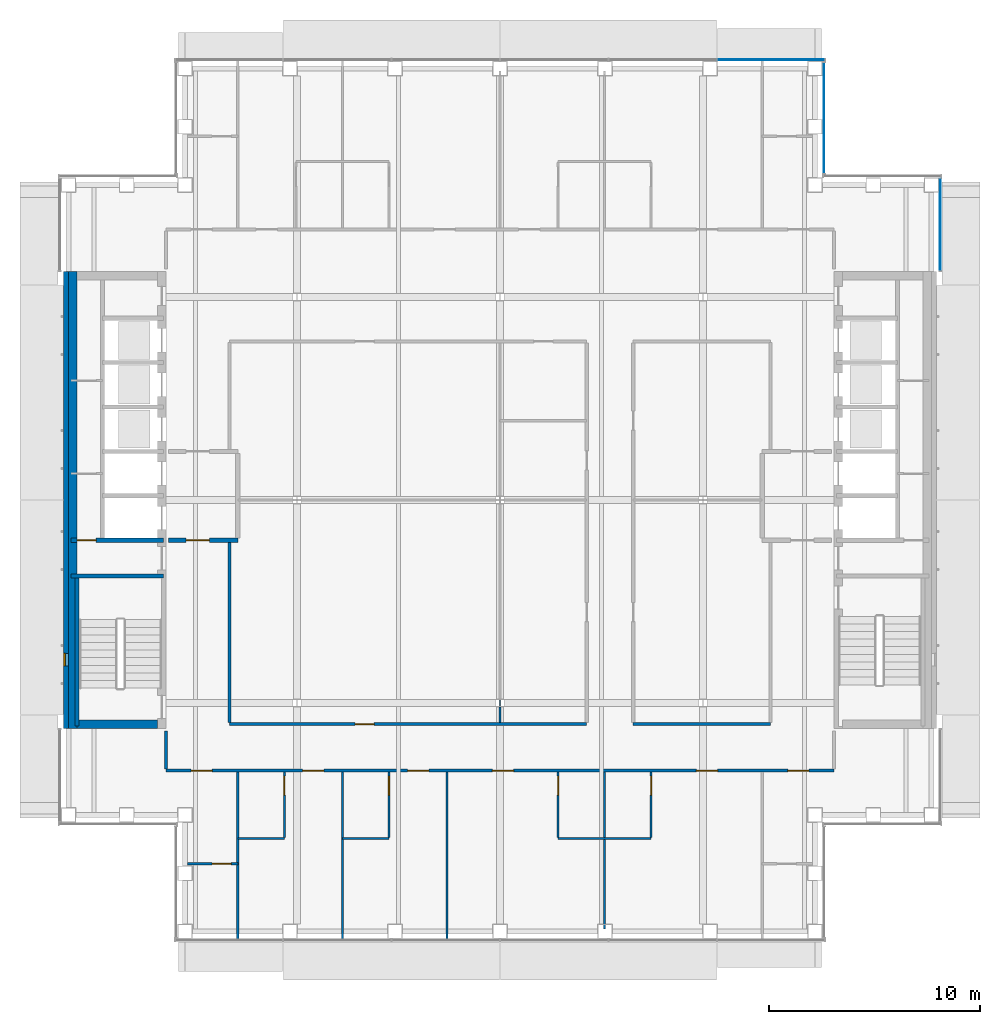
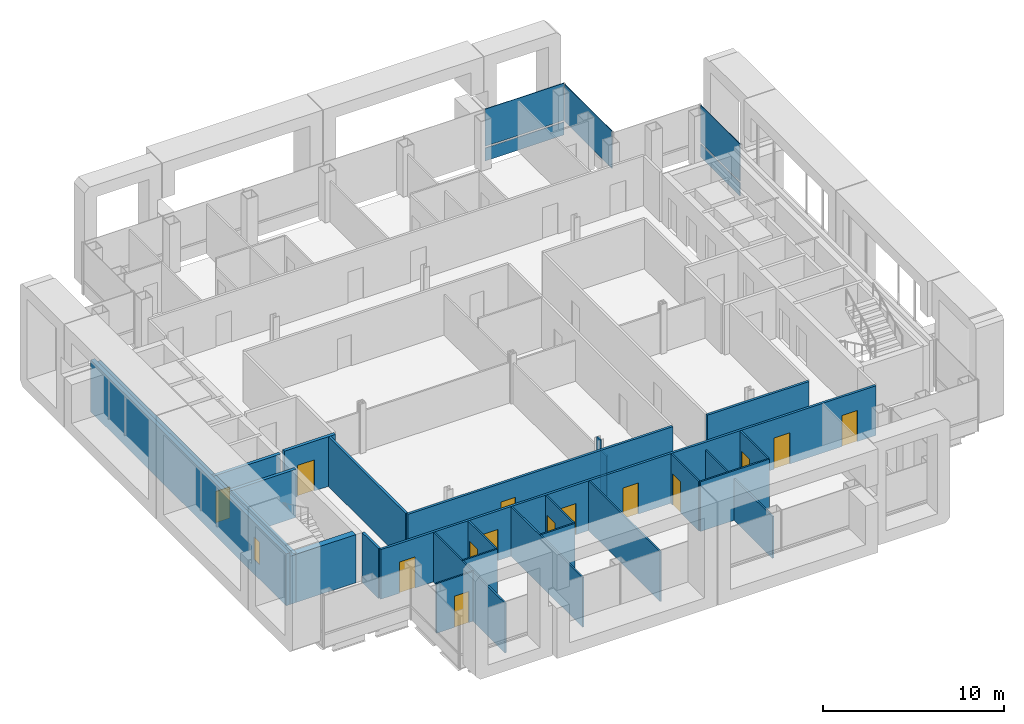
# One storey, part 9 of 19: 27 walls, 14 doors, 5 plates, 1 window, 15 openings, 3 elements without a shape of their own.
"""IFC4 building model written with IfcOpenShell, lengths in metres."""

from ifc_helpers import new_model, si_unit, direction, frame, frame_2d, origin, origin_2d, place, context, subcontext, project, spatial, rectangle, extrude, material, layer, layer_set, type_object, element, fill, aggregate, save


model = new_model("IFC4")

# Units and contexts
model_context = context("Model", 3, precision=1e-05, world=origin(), true_north=direction((0.0, 1.0)))
body_context = subcontext(model_context, "Body", "Model", "MODEL_VIEW")
ifc_project = project(units=[si_unit("LENGTHUNIT", "METRE"), si_unit("AREAUNIT", "SQUARE_METRE"), si_unit("VOLUMEUNIT", "CUBIC_METRE"), si_unit("PLANEANGLEUNIT", "RADIAN"), si_unit("MASSUNIT", "GRAM", prefix="KILO")], contexts=[model_context])

# Site, building, storey
site_placement = place(None, origin())
site = spatial("IfcSite", under=ifc_project, at=site_placement, CompositionType="ELEMENT")
building_placement = place(site_placement, origin())
building = spatial("IfcBuilding", under=site, at=building_placement, Name="Cobrizo Arcos Hotel Tower", CompositionType="ELEMENT")
storey_placement = place(building_placement, frame((0.0, 0.0, 205.0)))
storey = spatial("IfcBuildingStorey", under=building, at=storey_placement, Name="L53", CompositionType="ELEMENT", Elevation=205.0)

# Curtain wall, plate
ifc_material_1 = material(Name="Aluminium 6063-T6 anodised bronze", Category="aluminium")
curtain_wall_type = type_object("IfcCurtainWallType", Name="CW-A guest facade", PredefinedType="NOTDEFINED", material=ifc_material_1)
curtain_wall_1_placement = place(storey_placement, origin())
curtain_wall_1 = element("IfcCurtainWall", 1, at=curtain_wall_1_placement, inside=storey, type_object=curtain_wall_type, Name="CW-A L53 E face", PredefinedType="NOTDEFINED")
ifc_material_2 = material(Name="Glass clear laminated low-e", Category="glass")
ifc_layer_1 = layer(ifc_material_2, 0.0400390625)
ifc_layer_set_1 = layer_set([ifc_layer_1], Name="CW-A glass panel")
plate_type_1 = type_object("IfcPlateType", Name="CW-A glass panel", PredefinedType="CURTAIN_PANEL", material=ifc_layer_set_1)
plate_1_placement = place(storey_placement, frame((20.824951171875, 13.02490234375, 0.990234375), z_axis=(0.0, 0.0, 1.0), x_axis=(0.0, 1.0, 0.0)))
plate_1 = element("IfcPlate", 2, at=plate_1_placement, type_object=plate_type_1, Name="CW-A glass panel 1801", PredefinedType="CURTAIN_PANEL", context=body_context, shape_type="SweptSolid", body=[
    extrude(rectangle(XDim=4.330078125, YDim=0.0400390625, at=origin_2d()), origin(), (0.0, 0.0, 1.0), 2.510009765625),
])

curtain_wall_2_placement = place(storey_placement, origin())
curtain_wall_2 = element("IfcCurtainWall", 3, at=curtain_wall_2_placement, inside=storey, type_object=curtain_wall_type, Name="CW-A L53 E face", PredefinedType="NOTDEFINED")
plate_2_placement = place(storey_placement, frame((15.324951171875, 18.074951171875, 0.990234375), z_axis=(0.0, 0.0, 1.0), x_axis=(0.0, 1.0, 0.0)))
plate_2 = element("IfcPlate", 4, at=plate_2_placement, type_object=plate_type_1, Name="CW-A glass panel 1803", PredefinedType="CURTAIN_PANEL", context=body_context, shape_type="SweptSolid", body=[
    extrude(rectangle(XDim=5.22998046875, YDim=0.0400390625, at=origin_2d()), origin(), (0.0, 0.0, 1.0), 2.510009765625),
])
aggregate(curtain_wall_2, [plate_2])

curtain_wall_3_placement = place(storey_placement, origin())
curtain_wall_3 = element("IfcCurtainWall", 5, at=curtain_wall_3_placement, inside=storey, type_object=curtain_wall_type, Name="CW-A L53 N face", PredefinedType="NOTDEFINED")
plate_3_placement = place(storey_placement, frame((12.818359375, 20.824951171875, 0.990234375), z_axis=(0.0, 0.0, 1.0), x_axis=(-1.0, 0.0, 0.0)))
plate_3 = element("IfcPlate", 6, at=plate_3_placement, type_object=plate_type_1, Name="CW-A glass panel 1804", PredefinedType="CURTAIN_PANEL", context=body_context, shape_type="SweptSolid", body=[
    extrude(rectangle(XDim=5.043212890625, YDim=0.0400390625, at=origin_2d()), origin(), (0.0, 0.0, 1.0), 2.510009765625),
])

# Plate
ifc_material_3 = material(Name="Aluminium composite panel pale metal", Category="aluminium")
ifc_layer_2 = layer(ifc_material_3, 0.0400390625)
ifc_layer_set_2 = layer_set([ifc_layer_2], Name="CW-A spandrel panel")
plate_type_2 = type_object("IfcPlateType", Name="CW-A spandrel panel", PredefinedType="CURTAIN_PANEL", material=ifc_layer_set_2)
plate_4_placement = place(storey_placement, frame((20.824951171875, 13.02490234375, 0.0), z_axis=(0.0, 0.0, 1.0), x_axis=(0.0, 1.0, 0.0)))
plate_4 = element("IfcPlate", 7, at=plate_4_placement, type_object=plate_type_2, Name="CW-A spandrel panel 1801", PredefinedType="CURTAIN_PANEL", context=body_context, shape_type="SweptSolid", body=[
    extrude(rectangle(XDim=4.330078125, YDim=0.0400390625, at=origin_2d()), origin(), (0.0, 0.0, 1.0), 0.8701171875),
])

aggregate(curtain_wall_1, [plate_4, plate_1])

plate_5_placement = place(storey_placement, frame((12.818359375, 20.824951171875, 0.0), z_axis=(0.0, 0.0, 1.0), x_axis=(-1.0, 0.0, 0.0)))
plate_5 = element("IfcPlate", 8, at=plate_5_placement, type_object=plate_type_2, Name="CW-A spandrel panel 1804", PredefinedType="CURTAIN_PANEL", context=body_context, shape_type="SweptSolid", body=[
    extrude(rectangle(XDim=5.043212890625, YDim=0.0400390625, at=origin_2d()), origin(), (0.0, 0.0, 1.0), 0.8701171875),
])

aggregate(curtain_wall_3, [plate_5, plate_3])

# Wall, openings, doors
ifc_material_4 = material(Name="Gypsum board partition")
ifc_layer_3 = layer(ifc_material_4, 0.14990234375)
ifc_layer_set_3 = layer_set([ifc_layer_3], Name="Corridor wall EI 60 150")
wall_type_1 = type_object("IfcWallType", Name="Corridor wall EI 60 150", PredefinedType="PARTITIONING", material=ifc_layer_set_3)
wall_1_placement = place(storey_placement, frame((-15.800048828125, -12.800048828125, 0.0), z_axis=(0.0, 0.0, 1.0), x_axis=(1.0, 0.0, 0.0)))
wall_1 = element("IfcWall", 9, at=wall_1_placement, inside=storey, type_object=wall_type_1, Name="Partition 006", PredefinedType="PARTITIONING", context=body_context, shape_type="SweptSolid", body=[
    extrude(rectangle(XDim=31.60009765625, YDim=0.14990234375, at=frame_2d((15.800048828125, 0.0))), origin(), (0.0, 0.0, 1.0), 3.35009765625),
])
opening_1_placement = place(wall_1_placement, frame((6.466064453125, 0.0, 0.0)))
opening_1 = element("IfcOpeningElement", 10, at=opening_1_placement, cuts=wall_1, Name="Opening GD-05", PredefinedType="OPENING", context=body_context, shape_type="SweptSolid", body=[
    extrude(rectangle(XDim=1.0, YDim=2.10009765625, at=frame_2d((0.5, 1.050048828125))), frame((0.0, 0.0869140625, 0.0), z_axis=(0.0, -1.0, 0.0), x_axis=(1.0, 0.0, 0.0)), (0.0, 0.0, 1.0), 0.173828125),
])
opening_2_placement = place(wall_1_placement, frame((11.43408203125, 0.0, 0.0)))
opening_2 = element("IfcOpeningElement", 11, at=opening_2_placement, cuts=wall_1, Name="Opening GD-06", PredefinedType="OPENING", context=body_context, shape_type="SweptSolid", body=[
    extrude(rectangle(XDim=1.0, YDim=2.10009765625, at=frame_2d((0.5, 1.050048828125))), frame((0.0, 0.0869140625, 0.0), z_axis=(0.0, -1.0, 0.0), x_axis=(1.0, 0.0, 0.0)), (0.0, 0.0, 1.0), 0.173828125),
])
opening_3_placement = place(wall_1_placement, frame((15.44189453125, 0.0, 0.0)))
opening_3 = element("IfcOpeningElement", 12, at=opening_3_placement, cuts=wall_1, Name="Opening GD-07", PredefinedType="OPENING", context=body_context, shape_type="SweptSolid", body=[
    extrude(rectangle(XDim=1.0, YDim=2.10009765625, at=frame_2d((0.5, 1.050048828125))), frame((0.0, 0.0869140625, 0.0), z_axis=(0.0, -1.0, 0.0), x_axis=(1.0, 0.0, 0.0)), (0.0, 0.0, 1.0), 0.173828125),
])
opening_4_placement = place(wall_1_placement, frame((25.092041015625, 0.0, 0.0)))
opening_4 = element("IfcOpeningElement", 13, at=opening_4_placement, cuts=wall_1, Name="Opening GD-08", PredefinedType="OPENING", context=body_context, shape_type="SweptSolid", body=[
    extrude(rectangle(XDim=1.0, YDim=2.10009765625, at=frame_2d((0.5, 1.050048828125))), frame((0.0, 0.0869140625, 0.0), z_axis=(0.0, -1.0, 0.0), x_axis=(1.0, 0.0, 0.0)), (0.0, 0.0, 1.0), 0.173828125),
])
opening_5_placement = place(wall_1_placement, frame((1.19189453125, 0.0, 0.0)))
opening_5 = element("IfcOpeningElement", 14, at=opening_5_placement, cuts=wall_1, Name="Opening GD-09", PredefinedType="OPENING", context=body_context, shape_type="SweptSolid", body=[
    extrude(rectangle(XDim=1.0, YDim=2.10009765625, at=frame_2d((0.5, 1.050048828125))), frame((0.0, 0.0869140625, 0.0), z_axis=(0.0, -1.0, 0.0), x_axis=(1.0, 0.0, 0.0)), (0.0, 0.0, 1.0), 0.173828125),
])
opening_6_placement = place(wall_1_placement, frame((29.408935546875, 0.0, 0.0)))
opening_6 = element("IfcOpeningElement", 15, at=opening_6_placement, cuts=wall_1, Name="Opening GD-11", PredefinedType="OPENING", context=body_context, shape_type="SweptSolid", body=[
    extrude(rectangle(XDim=1.0, YDim=2.10009765625, at=frame_2d((0.5, 1.050048828125))), frame((0.0, 0.0869140625, 0.0), z_axis=(0.0, -1.0, 0.0), x_axis=(1.0, 0.0, 0.0)), (0.0, 0.0, 1.0), 0.173828125),
])
ifc_material_5 = material(Name="Timber door leaf", Category="wood")
door_type_1 = type_object("IfcDoorType", Name="Guest room door FD30S 1000x2100", OperationType="SINGLE_SWING_LEFT", PredefinedType="DOOR", material=ifc_material_5)
door_1_placement = place(opening_1_placement, origin())
door_1 = element("IfcDoor", 16, at=door_1_placement, inside=storey, type_object=door_type_1, Name="Door GD-05", OperationType="SINGLE_SWING_LEFT", OverallHeight=2.10009765625, OverallWidth=1.0, PredefinedType="DOOR", context=body_context, shape_type="SweptSolid", body=[
    extrude(rectangle(XDim=1.0, YDim=2.10009765625, at=frame_2d((0.5, 1.050048828125))), frame((0.0, 0.02490234375, 0.0), z_axis=(0.0, -1.0, 0.0), x_axis=(1.0, 0.0, 0.0)), (0.0, 0.0, 1.0), 0.050048828125),
])
fill(opening_1, door_1)
door_2_placement = place(opening_2_placement, origin())
door_2 = element("IfcDoor", 17, at=door_2_placement, inside=storey, type_object=door_type_1, Name="Door GD-06", OperationType="SINGLE_SWING_LEFT", OverallHeight=2.10009765625, OverallWidth=1.0, PredefinedType="DOOR", context=body_context, shape_type="SweptSolid", body=[
    extrude(rectangle(XDim=1.0, YDim=2.10009765625, at=frame_2d((0.5, 1.050048828125))), frame((0.0, 0.02490234375, 0.0), z_axis=(0.0, -1.0, 0.0), x_axis=(1.0, 0.0, 0.0)), (0.0, 0.0, 1.0), 0.050048828125),
])
fill(opening_2, door_2)
door_3_placement = place(opening_3_placement, origin())
door_3 = element("IfcDoor", 18, at=door_3_placement, inside=storey, type_object=door_type_1, Name="Door GD-07", OperationType="SINGLE_SWING_LEFT", OverallHeight=2.10009765625, OverallWidth=1.0, PredefinedType="DOOR", context=body_context, shape_type="SweptSolid", body=[
    extrude(rectangle(XDim=1.0, YDim=2.10009765625, at=frame_2d((0.5, 1.050048828125))), frame((0.0, 0.02490234375, 0.0), z_axis=(0.0, -1.0, 0.0), x_axis=(1.0, 0.0, 0.0)), (0.0, 0.0, 1.0), 0.050048828125),
])
fill(opening_3, door_3)
door_4_placement = place(opening_4_placement, origin())
door_4 = element("IfcDoor", 19, at=door_4_placement, inside=storey, type_object=door_type_1, Name="Door GD-08", OperationType="SINGLE_SWING_LEFT", OverallHeight=2.10009765625, OverallWidth=1.0, PredefinedType="DOOR", context=body_context, shape_type="SweptSolid", body=[
    extrude(rectangle(XDim=1.0, YDim=2.10009765625, at=frame_2d((0.5, 1.050048828125))), frame((0.0, 0.02490234375, 0.0), z_axis=(0.0, -1.0, 0.0), x_axis=(1.0, 0.0, 0.0)), (0.0, 0.0, 1.0), 0.050048828125),
])
fill(opening_4, door_4)
door_5_placement = place(opening_5_placement, origin())
door_5 = element("IfcDoor", 20, at=door_5_placement, inside=storey, type_object=door_type_1, Name="Door GD-09", OperationType="SINGLE_SWING_LEFT", OverallHeight=2.10009765625, OverallWidth=1.0, PredefinedType="DOOR", context=body_context, shape_type="SweptSolid", body=[
    extrude(rectangle(XDim=1.0, YDim=2.10009765625, at=frame_2d((0.5, 1.050048828125))), frame((0.0, 0.02490234375, 0.0), z_axis=(0.0, -1.0, 0.0), x_axis=(1.0, 0.0, 0.0)), (0.0, 0.0, 1.0), 0.050048828125),
])
fill(opening_5, door_5)
door_6_placement = place(opening_6_placement, origin())
door_6 = element("IfcDoor", 21, at=door_6_placement, inside=storey, type_object=door_type_1, Name="Door GD-11", OperationType="SINGLE_SWING_LEFT", OverallHeight=2.10009765625, OverallWidth=1.0, PredefinedType="DOOR", context=body_context, shape_type="SweptSolid", body=[
    extrude(rectangle(XDim=1.0, YDim=2.10009765625, at=frame_2d((0.5, 1.050048828125))), frame((0.0, 0.02490234375, 0.0), z_axis=(0.0, -1.0, 0.0), x_axis=(1.0, 0.0, 0.0)), (0.0, 0.0, 1.0), 0.050048828125),
])
fill(opening_6, door_6)

# Wall, opening, door
wall_2_placement = place(storey_placement, frame((-12.800048828125, -10.60009765625, 0.0), z_axis=(0.0, 0.0, 1.0), x_axis=(1.0, 0.0, 0.0)))
wall_2 = element("IfcWall", 22, at=wall_2_placement, inside=storey, type_object=wall_type_1, Name="Partition 007", PredefinedType="PARTITIONING", context=body_context, shape_type="SweptSolid", body=[
    extrude(rectangle(XDim=16.900146484375, YDim=0.14990234375, at=frame_2d((8.4501953125, 0.0))), origin(), (0.0, 0.0, 1.0), 3.35009765625),
])
opening_7_placement = place(wall_2_placement, frame((5.949951171875, 0.0, 0.0)))
opening_7 = element("IfcOpeningElement", 23, at=opening_7_placement, cuts=wall_2, Name="Opening RD-13", PredefinedType="OPENING", context=body_context, shape_type="SweptSolid", body=[
    extrude(rectangle(XDim=0.89990234375, YDim=2.10009765625, at=frame_2d((0.449951171875, 1.050048828125))), frame((0.0, 0.0869140625, 0.0), z_axis=(0.0, -1.0, 0.0), x_axis=(1.0, 0.0, 0.0)), (0.0, 0.0, 1.0), 0.173828125),
])
door_type_2 = type_object("IfcDoorType", Name="Room door FD30 900x2100", OperationType="SINGLE_SWING_LEFT", PredefinedType="DOOR", material=ifc_material_5)
door_7_placement = place(opening_7_placement, origin())
door_7 = element("IfcDoor", 24, at=door_7_placement, inside=storey, type_object=door_type_2, Name="Door RD-13", OperationType="SINGLE_SWING_LEFT", OverallHeight=2.10009765625, OverallWidth=0.89990234375, PredefinedType="DOOR", context=body_context, shape_type="SweptSolid", body=[
    extrude(rectangle(XDim=0.89990234375, YDim=2.10009765625, at=frame_2d((0.449951171875, 1.050048828125))), frame((0.0, 0.02490234375, 0.0), z_axis=(0.0, -1.0, 0.0), x_axis=(1.0, 0.0, 0.0)), (0.0, 0.0, 1.0), 0.050048828125),
])
fill(opening_7, door_7)

# Walls
wall_3_placement = place(storey_placement, frame((6.300048828125, -10.60009765625, 0.0), z_axis=(0.0, 0.0, 1.0), x_axis=(1.0, 0.0, 0.0)))
element("IfcWall", 25, at=wall_3_placement, inside=storey, type_object=wall_type_1, Name="Partition 008", PredefinedType="PARTITIONING", context=body_context, shape_type="SweptSolid", body=[
    extrude(rectangle(XDim=6.5, YDim=0.14990234375, at=frame_2d((3.25, 0.0))), origin(), (0.0, 0.0, 1.0), 3.35009765625),
])
wall_4_placement = place(storey_placement, frame((-15.800048828125, -12.72509765625, 0.0), z_axis=(0.0, 0.0, 1.0), x_axis=(0.0, 1.0, 0.0)))
element("IfcWall", 26, at=wall_4_placement, inside=storey, type_object=wall_type_1, Name="Partition 049", PredefinedType="PARTITIONING", context=body_context, shape_type="SweptSolid", body=[
    extrude(rectangle(XDim=1.80517578125, YDim=0.14990234375, at=frame_2d((0.902587890625, 0.0))), origin(), (0.0, 0.0, 1.0), 3.35009765625),
])
wall_5_placement = place(storey_placement, frame((-12.800048828125, -10.52490234375, 0.0), z_axis=(0.0, 0.0, 1.0), x_axis=(0.0, 1.0, 0.0)))
element("IfcWall", 27, at=wall_5_placement, inside=storey, type_object=wall_type_1, Name="Partition 051", PredefinedType="PARTITIONING", context=body_context, shape_type="SweptSolid", body=[
    extrude(rectangle(XDim=8.52490234375, YDim=0.14990234375, at=frame_2d((4.262451171875, 0.0))), origin(), (0.0, 0.0, 1.0), 3.35009765625),
])

# Wall, opening, window
ifc_layer_4 = layer(ifc_material_3, 0.25)
ifc_layer_set_4 = layer_set([ifc_layer_4], Name="EW-1 insulated panel wall 250")
wall_type_2 = type_object("IfcWallType", Name="EW-1 insulated panel wall 250", PredefinedType="SOLIDWALL", material=ifc_layer_set_4)
wall_6_placement = place(storey_placement, frame((-20.52490234375, 10.800048828125, 0.0), z_axis=(0.0, 0.0, 1.0), x_axis=(0.0, -1.0, 0.0)))
wall_6 = element("IfcWall", 28, at=wall_6_placement, inside=storey, type_object=wall_type_2, Name="Core face wall L53 W", PredefinedType="SOLIDWALL", context=body_context, shape_type="SweptSolid", body=[
    extrude(rectangle(XDim=21.60009765625, YDim=0.25, at=frame_2d((10.800048828125, 0.0))), origin(), (0.0, 0.0, 1.0), 3.5),
])
opening_8_placement = place(wall_6_placement, frame((18.050048828125, 0.0, 1.0)))
opening_8 = element("IfcOpeningElement", 29, at=opening_8_placement, cuts=wall_6, Name="Opening W-120", PredefinedType="OPENING", context=body_context, shape_type="SweptSolid", body=[
    extrude(rectangle(XDim=0.60009765625, YDim=1.5, at=frame_2d((0.300048828125, 0.75))), frame((0.0, 0.136962890625, 0.0), z_axis=(0.0, -1.0, 0.0), x_axis=(1.0, 0.0, 0.0)), (0.0, 0.0, 1.0), 0.27392578125),
])
ifc_material_6 = material(Name="Aluminium 6063-T6 and clear laminated glass", Category="aluminium")
window_type = type_object("IfcWindowType", Name="W-C1 core stair slot window 600x1500", PartitioningType="SINGLE_PANEL", PredefinedType="WINDOW", material=ifc_material_6)
window_placement = place(opening_8_placement, origin())
window = element("IfcWindow", 30, at=window_placement, inside=storey, type_object=window_type, Name="Core face wall L53 W window W-120", OverallHeight=1.5, OverallWidth=0.60009765625, PartitioningType="SINGLE_PANEL", PredefinedType="WINDOW", context=body_context, shape_type="SweptSolid", body=[
    extrude(rectangle(XDim=0.60009765625, YDim=1.5, at=frame_2d((0.300048828125, 0.75))), frame((0.0, -0.034912109375, 0.0), z_axis=(0.0, -1.0, 0.0), x_axis=(1.0, 0.0, 0.0)), (0.0, 0.0, 1.0), 0.06005859375),
])
fill(opening_8, window)

# Wall, opening, door
ifc_layer_5 = layer(ifc_material_4, 0.10009765625)
ifc_layer_set_5 = layer_set([ifc_layer_5], Name="Partition EI 30 100")
wall_type_3 = type_object("IfcWallType", Name="Partition EI 30 100", PredefinedType="PARTITIONING", material=ifc_layer_set_5)
wall_7_placement = place(storey_placement, frame((-14.780029296875, -17.199951171875, 0.0), z_axis=(0.0, 0.0, 1.0), x_axis=(1.0, 0.0, 0.0)))
wall_7 = element("IfcWall", 31, at=wall_7_placement, inside=storey, type_object=wall_type_3, Name="Partition 001", PredefinedType="PARTITIONING", context=body_context, shape_type="SweptSolid", body=[
    extrude(rectangle(XDim=2.380126953125, YDim=0.10009765625, at=frame_2d((1.18994140625, 0.0))), origin(), (0.0, 0.0, 1.0), 3.35009765625),
])
opening_9_placement = place(wall_7_placement, frame((1.16796875, 0.0, 0.0)))
opening_9 = element("IfcOpeningElement", 32, at=opening_9_placement, cuts=wall_7, Name="Opening ED-09", PredefinedType="OPENING", context=body_context, shape_type="SweptSolid", body=[
    extrude(rectangle(XDim=0.89990234375, YDim=2.10009765625, at=frame_2d((0.449951171875, 1.050048828125))), frame((0.0, 0.06201171875, 0.0), z_axis=(0.0, -1.0, 0.0), x_axis=(1.0, 0.0, 0.0)), (0.0, 0.0, 1.0), 0.1240234375),
])
door_type_3 = type_object("IfcDoorType", Name="En-suite door 900x2100", OperationType="SINGLE_SWING_LEFT", PredefinedType="DOOR", material=ifc_material_5)
door_8_placement = place(opening_9_placement, origin())
door_8 = element("IfcDoor", 33, at=door_8_placement, inside=storey, type_object=door_type_3, Name="Door ED-09", OperationType="SINGLE_SWING_LEFT", OverallHeight=2.10009765625, OverallWidth=0.89990234375, PredefinedType="DOOR", context=body_context, shape_type="SweptSolid", body=[
    extrude(rectangle(XDim=0.89990234375, YDim=2.10009765625, at=frame_2d((0.449951171875, 1.050048828125))), frame((0.0, 0.02490234375, 0.0), z_axis=(0.0, -1.0, 0.0), x_axis=(1.0, 0.0, 0.0)), (0.0, 0.0, 1.0), 0.050048828125),
])
fill(opening_9, door_8)

# Walls
for number, where, z_axis, x_axis, name in (
    (34, (-12.39990234375, -16.0, 0.0), (0.0, 0.0, 1.0), (1.0, 0.0, 0.0), "Partition 003"),
    (35, (-7.449951171875, -16.0, 0.0), (0.0, 0.0, 1.0), (1.0, 0.0, 0.0), "Partition 004"),
):
    element("IfcWall", number, at=place(storey_placement, frame(where, z_axis=z_axis, x_axis=x_axis)), inside=storey, type_object=wall_type_3, Name=name, PredefinedType="PARTITIONING", context=body_context, shape_type="SweptSolid", body=[
        extrude(rectangle(XDim=2.199951171875, YDim=0.10009765625, at=frame_2d((1.10009765625, 0.0))), origin(), (0.0, 0.0, 1.0), 3.35009765625),
    ])
wall_8_placement = place(storey_placement, frame((2.75, -16.0, 0.0), z_axis=(0.0, 0.0, 1.0), x_axis=(1.0, 0.0, 0.0)))
element("IfcWall", 36, at=wall_8_placement, inside=storey, type_object=wall_type_3, Name="Partition 005", PredefinedType="PARTITIONING", context=body_context, shape_type="SweptSolid", body=[
    extrude(rectangle(XDim=4.39990234375, YDim=0.10009765625, at=frame_2d((2.199951171875, 0.0))), origin(), (0.0, 0.0, 1.0), 3.35009765625),
])
wall_9_placement = place(storey_placement, frame((-12.39990234375, -20.780029296875, 0.0), z_axis=(0.0, 0.0, 1.0), x_axis=(0.0, 1.0, 0.0)))
element("IfcWall", 37, at=wall_9_placement, inside=storey, type_object=wall_type_3, Name="Partition 053", PredefinedType="PARTITIONING", context=body_context, shape_type="SweptSolid", body=[
    extrude(rectangle(XDim=7.905029296875, YDim=0.10009765625, at=frame_2d((3.95263671875, 0.0))), origin(), (0.0, 0.0, 1.0), 3.35009765625),
])

# Wall, opening, door
wall_10_placement = place(storey_placement, frame((-10.199951171875, -15.949951171875, 0.0), z_axis=(0.0, 0.0, 1.0), x_axis=(0.0, 1.0, 0.0)))
wall_10 = element("IfcWall", 38, at=wall_10_placement, inside=storey, type_object=wall_type_3, Name="Partition 056", PredefinedType="PARTITIONING", context=body_context, shape_type="SweptSolid", body=[
    extrude(rectangle(XDim=3.074951171875, YDim=0.10009765625, at=frame_2d((1.53759765625, 0.0))), origin(), (0.0, 0.0, 1.0), 3.35009765625),
])
opening_10_placement = place(wall_10_placement, frame((1.99609375, 0.0, 0.0)))
opening_10 = element("IfcOpeningElement", 39, at=opening_10_placement, cuts=wall_10, Name="Opening ED-05", PredefinedType="OPENING", context=body_context, shape_type="SweptSolid", body=[
    extrude(rectangle(XDim=0.89990234375, YDim=2.10009765625, at=frame_2d((0.449951171875, 1.050048828125))), frame((0.0, 0.06201171875, 0.0), z_axis=(0.0, -1.0, 0.0), x_axis=(1.0, 0.0, 0.0)), (0.0, 0.0, 1.0), 0.1240234375),
])
door_9_placement = place(opening_10_placement, origin())
door_9 = element("IfcDoor", 40, at=door_9_placement, inside=storey, type_object=door_type_3, Name="Door ED-05", OperationType="SINGLE_SWING_RIGHT", OverallHeight=2.10009765625, OverallWidth=0.89990234375, PredefinedType="DOOR", context=body_context, shape_type="SweptSolid", body=[
    extrude(rectangle(XDim=0.89990234375, YDim=2.10009765625, at=frame_2d((0.449951171875, 1.050048828125))), frame((0.0, 0.02490234375, 0.0), z_axis=(0.0, -1.0, 0.0), x_axis=(1.0, 0.0, 0.0)), (0.0, 0.0, 1.0), 0.050048828125),
])
fill(opening_10, door_9)

# Wall
wall_11_placement = place(storey_placement, frame((-7.449951171875, -20.780029296875, 0.0), z_axis=(0.0, 0.0, 1.0), x_axis=(0.0, 1.0, 0.0)))
element("IfcWall", 41, at=wall_11_placement, inside=storey, type_object=wall_type_3, Name="Partition 058", PredefinedType="PARTITIONING", context=body_context, shape_type="SweptSolid", body=[
    extrude(rectangle(XDim=7.905029296875, YDim=0.10009765625, at=frame_2d((3.95263671875, 0.0))), origin(), (0.0, 0.0, 1.0), 3.35009765625),
])

# Wall, opening, door
wall_12_placement = place(storey_placement, frame((-5.25, -15.949951171875, 0.0), z_axis=(0.0, 0.0, 1.0), x_axis=(0.0, 1.0, 0.0)))
wall_12 = element("IfcWall", 42, at=wall_12_placement, inside=storey, type_object=wall_type_3, Name="Partition 061", PredefinedType="PARTITIONING", context=body_context, shape_type="SweptSolid", body=[
    extrude(rectangle(XDim=3.074951171875, YDim=0.10009765625, at=frame_2d((1.53759765625, 0.0))), origin(), (0.0, 0.0, 1.0), 3.35009765625),
])
opening_11_placement = place(wall_12_placement, frame((1.99609375, 0.0, 0.0)))
opening_11 = element("IfcOpeningElement", 43, at=opening_11_placement, cuts=wall_12, Name="Opening ED-06", PredefinedType="OPENING", context=body_context, shape_type="SweptSolid", body=[
    extrude(rectangle(XDim=0.89990234375, YDim=2.10009765625, at=frame_2d((0.449951171875, 1.050048828125))), frame((0.0, 0.06201171875, 0.0), z_axis=(0.0, -1.0, 0.0), x_axis=(1.0, 0.0, 0.0)), (0.0, 0.0, 1.0), 0.1240234375),
])
door_10_placement = place(opening_11_placement, origin())
door_10 = element("IfcDoor", 44, at=door_10_placement, inside=storey, type_object=door_type_3, Name="Door ED-06", OperationType="SINGLE_SWING_RIGHT", OverallHeight=2.10009765625, OverallWidth=0.89990234375, PredefinedType="DOOR", context=body_context, shape_type="SweptSolid", body=[
    extrude(rectangle(XDim=0.89990234375, YDim=2.10009765625, at=frame_2d((0.449951171875, 1.050048828125))), frame((0.0, 0.02490234375, 0.0), z_axis=(0.0, -1.0, 0.0), x_axis=(1.0, 0.0, 0.0)), (0.0, 0.0, 1.0), 0.050048828125),
])
fill(opening_11, door_10)

# Walls
wall_13_placement = place(storey_placement, frame((-2.5, -20.780029296875, 0.0), z_axis=(0.0, 0.0, 1.0), x_axis=(0.0, 1.0, 0.0)))
element("IfcWall", 45, at=wall_13_placement, inside=storey, type_object=wall_type_3, Name="Partition 063", PredefinedType="PARTITIONING", context=body_context, shape_type="SweptSolid", body=[
    extrude(rectangle(XDim=7.905029296875, YDim=0.10009765625, at=frame_2d((3.95263671875, 0.0))), origin(), (0.0, 0.0, 1.0), 3.35009765625),
])
wall_14_placement = place(storey_placement, frame((0.0, -10.52490234375, 0.0), z_axis=(0.0, 0.0, 1.0), x_axis=(0.0, 1.0, 0.0)))
element("IfcWall", 46, at=wall_14_placement, inside=storey, type_object=wall_type_3, Name="Partition 064", PredefinedType="PARTITIONING", context=body_context, shape_type="SweptSolid", body=[
    extrude(rectangle(XDim=0.73779296875, YDim=0.10009765625, at=frame_2d((0.368896484375, 0.0))), origin(), (0.0, 0.0, 1.0), 2.72802734375),
])
wall_15_placement = place(storey_placement, frame((0.0, -9.787109375, 0.0), z_axis=(0.0, 0.0, 1.0), x_axis=(0.0, 1.0, 0.0)))
element("IfcWall", 47, at=wall_15_placement, inside=storey, type_object=wall_type_3, Name="Partition 065", PredefinedType="PARTITIONING", context=body_context, shape_type="SweptSolid", body=[
    extrude(rectangle(XDim=0.3740234375, YDim=0.10009765625, at=frame_2d((0.18701171875, 0.0))), origin(), (0.0, 0.0, 1.0), 3.35009765625),
])

# Wall, opening, door
wall_16_placement = place(storey_placement, frame((2.75, -15.949951171875, 0.0), z_axis=(0.0, 0.0, 1.0), x_axis=(0.0, 1.0, 0.0)))
wall_16 = element("IfcWall", 48, at=wall_16_placement, inside=storey, type_object=wall_type_3, Name="Partition 069", PredefinedType="PARTITIONING", context=body_context, shape_type="SweptSolid", body=[
    extrude(rectangle(XDim=3.074951171875, YDim=0.10009765625, at=frame_2d((1.53759765625, 0.0))), origin(), (0.0, 0.0, 1.0), 3.35009765625),
])
opening_12_placement = place(wall_16_placement, frame((1.99609375, 0.0, 0.0)))
opening_12 = element("IfcOpeningElement", 49, at=opening_12_placement, cuts=wall_16, Name="Opening ED-07", PredefinedType="OPENING", context=body_context, shape_type="SweptSolid", body=[
    extrude(rectangle(XDim=0.89990234375, YDim=2.10009765625, at=frame_2d((0.449951171875, 1.050048828125))), frame((0.0, 0.06201171875, 0.0), z_axis=(0.0, -1.0, 0.0), x_axis=(1.0, 0.0, 0.0)), (0.0, 0.0, 1.0), 0.1240234375),
])
door_11_placement = place(opening_12_placement, origin())
door_11 = element("IfcDoor", 50, at=door_11_placement, inside=storey, type_object=door_type_3, Name="Door ED-07", OperationType="SINGLE_SWING_LEFT", OverallHeight=2.10009765625, OverallWidth=0.89990234375, PredefinedType="DOOR", context=body_context, shape_type="SweptSolid", body=[
    extrude(rectangle(XDim=0.89990234375, YDim=2.10009765625, at=frame_2d((0.449951171875, 1.050048828125))), frame((0.0, 0.02490234375, 0.0), z_axis=(0.0, -1.0, 0.0), x_axis=(1.0, 0.0, 0.0)), (0.0, 0.0, 1.0), 0.050048828125),
])
fill(opening_12, door_11)

# Walls
wall_17_placement = place(storey_placement, frame((4.949951171875, -20.280029296875, 0.0), z_axis=(0.0, 0.0, 1.0), x_axis=(0.0, 1.0, 0.0)))
element("IfcWall", 51, at=wall_17_placement, inside=storey, type_object=wall_type_3, Name="Partition 072", PredefinedType="PARTITIONING", context=body_context, shape_type="SweptSolid", body=[
    extrude(rectangle(XDim=4.22998046875, YDim=0.10009765625, at=frame_2d((2.114990234375, 0.0))), origin(), (0.0, 0.0, 1.0), 2.81689453125),
])
wall_18_placement = place(storey_placement, frame((4.949951171875, -15.949951171875, 0.0), z_axis=(0.0, 0.0, 1.0), x_axis=(0.0, 1.0, 0.0)))
element("IfcWall", 52, at=wall_18_placement, inside=storey, type_object=wall_type_3, Name="Partition 073", PredefinedType="PARTITIONING", context=body_context, shape_type="SweptSolid", body=[
    extrude(rectangle(XDim=3.074951171875, YDim=0.10009765625, at=frame_2d((1.53759765625, 0.0))), origin(), (0.0, 0.0, 1.0), 2.81689453125),
])

# Wall, opening, door
wall_19_placement = place(storey_placement, frame((7.14990234375, -15.949951171875, 0.0), z_axis=(0.0, 0.0, 1.0), x_axis=(0.0, 1.0, 0.0)))
wall_19 = element("IfcWall", 53, at=wall_19_placement, inside=storey, type_object=wall_type_3, Name="Partition 077", PredefinedType="PARTITIONING", context=body_context, shape_type="SweptSolid", body=[
    extrude(rectangle(XDim=3.074951171875, YDim=0.10009765625, at=frame_2d((1.53759765625, 0.0))), origin(), (0.0, 0.0, 1.0), 3.35009765625),
])
opening_13_placement = place(wall_19_placement, frame((1.99609375, 0.0, 0.0)))
opening_13 = element("IfcOpeningElement", 54, at=opening_13_placement, cuts=wall_19, Name="Opening ED-08", PredefinedType="OPENING", context=body_context, shape_type="SweptSolid", body=[
    extrude(rectangle(XDim=0.89990234375, YDim=2.10009765625, at=frame_2d((0.449951171875, 1.050048828125))), frame((0.0, 0.06201171875, 0.0), z_axis=(0.0, -1.0, 0.0), x_axis=(1.0, 0.0, 0.0)), (0.0, 0.0, 1.0), 0.1240234375),
])
door_12_placement = place(opening_13_placement, origin())
door_12 = element("IfcDoor", 55, at=door_12_placement, inside=storey, type_object=door_type_3, Name="Door ED-08", OperationType="SINGLE_SWING_LEFT", OverallHeight=2.10009765625, OverallWidth=0.89990234375, PredefinedType="DOOR", context=body_context, shape_type="SweptSolid", body=[
    extrude(rectangle(XDim=0.89990234375, YDim=2.10009765625, at=frame_2d((0.449951171875, 1.050048828125))), frame((0.0, 0.02490234375, 0.0), z_axis=(0.0, -1.0, 0.0), x_axis=(1.0, 0.0, 0.0)), (0.0, 0.0, 1.0), 0.050048828125),
])
fill(opening_13, door_12)

# Walls
ifc_material_7 = material(Name="Concrete f'c 40 MPa", Category="concrete")
ifc_layer_6 = layer(ifc_material_7, 0.39990234375)
ifc_layer_set_6 = layer_set([ifc_layer_6], Name="RC core wall 400 f'c 40")
wall_type_4 = type_object("IfcWallType", Name="RC core wall 400 f'c 40", PredefinedType="SHEAR", material=ifc_layer_set_6)
wall_20_placement = place(storey_placement, frame((-20.199951171875, -10.800048828125, 0.0), z_axis=(0.0, 0.0, 1.0), x_axis=(0.0, 1.0, 0.0)))
element("IfcWall", 56, at=wall_20_placement, inside=storey, type_object=wall_type_4, Name="Core wall CW4, west core, outer face, L53", PredefinedType="SHEAR", context=body_context, shape_type="SweptSolid", body=[
    extrude(rectangle(XDim=21.60009765625, YDim=0.39990234375, at=frame_2d((10.800048828125, 0.0))), origin(), (0.0, 0.0, 1.0), 3.25),
])
wall_21_placement = place(storey_placement, frame((-20.0, -10.60009765625, 0.0), z_axis=(0.0, 0.0, 1.0), x_axis=(1.0, 0.0, 0.0)))
element("IfcWall", 57, at=wall_21_placement, inside=storey, type_object=wall_type_4, Name="Core wall CW4, west core, south end, L53", PredefinedType="SHEAR", context=body_context, shape_type="SweptSolid", body=[
    extrude(rectangle(XDim=3.800048828125, YDim=0.39990234375, at=frame_2d((1.89990234375, 0.0))), origin(), (0.0, 0.0, 1.0), 3.25),
])

# Wall, opening, door
ifc_layer_7 = layer(ifc_material_4, 0.199951171875)
ifc_layer_set_7 = layer_set([ifc_layer_7], Name="Shaft wall EI 120 200")
wall_type_5 = type_object("IfcWallType", Name="Shaft wall EI 120 200", PredefinedType="PARTITIONING", material=ifc_layer_set_7)
wall_22_placement = place(storey_placement, frame((-20.280029296875, -1.89990234375, 0.0), z_axis=(0.0, 0.0, 1.0), x_axis=(1.0, 0.0, 0.0)))
wall_22 = element("IfcWall", 58, at=wall_22_placement, inside=storey, type_object=wall_type_5, Name="Partition 011", PredefinedType="PARTITIONING", context=body_context, shape_type="SweptSolid", body=[
    extrude(rectangle(XDim=4.360107421875, YDim=0.199951171875, at=frame_2d((2.18017578125, 0.0))), origin(), (0.0, 0.0, 1.0), 3.25),
])
opening_14_placement = place(wall_22_placement, frame((0.280029296875, 0.0, 0.0)))
opening_14 = element("IfcOpeningElement", 59, at=opening_14_placement, cuts=wall_22, Name="Opening RD-02", PredefinedType="OPENING", context=body_context, shape_type="SweptSolid", body=[
    extrude(rectangle(XDim=0.89990234375, YDim=2.10009765625, at=frame_2d((0.449951171875, 1.050048828125))), frame((0.0, 0.112060546875, 0.0), z_axis=(0.0, -1.0, 0.0), x_axis=(1.0, 0.0, 0.0)), (0.0, 0.0, 1.0), 0.223876953125),
])
door_13_placement = place(opening_14_placement, origin())
door_13 = element("IfcDoor", 60, at=door_13_placement, inside=storey, type_object=door_type_2, Name="Door RD-02", OperationType="SINGLE_SWING_LEFT", OverallHeight=2.10009765625, OverallWidth=0.89990234375, PredefinedType="DOOR", context=body_context, shape_type="SweptSolid", body=[
    extrude(rectangle(XDim=0.89990234375, YDim=2.10009765625, at=frame_2d((0.449951171875, 1.050048828125))), frame((0.0, 0.02490234375, 0.0), z_axis=(0.0, -1.0, 0.0), x_axis=(1.0, 0.0, 0.0)), (0.0, 0.0, 1.0), 0.050048828125),
])
fill(opening_14, door_13)

wall_23_placement = place(storey_placement, frame((-15.679931640625, -1.89990234375, 0.0), z_axis=(0.0, 0.0, 1.0), x_axis=(1.0, 0.0, 0.0)))
wall_23 = element("IfcWall", 61, at=wall_23_placement, inside=storey, type_object=wall_type_5, Name="Partition 012", PredefinedType="PARTITIONING", context=body_context, shape_type="SweptSolid", body=[
    extrude(rectangle(XDim=3.280029296875, YDim=0.199951171875, at=frame_2d((1.64013671875, 0.0))), origin(), (0.0, 0.0, 1.0), 3.35009765625),
])
opening_15_placement = place(wall_23_placement, frame((0.840087890625, 0.0, 0.0)))
opening_15 = element("IfcOpeningElement", 62, at=opening_15_placement, cuts=wall_23, Name="Opening FD-03", PredefinedType="OPENING", context=body_context, shape_type="SweptSolid", body=[
    extrude(rectangle(XDim=1.10009765625, YDim=2.10009765625, at=frame_2d((0.550048828125, 1.050048828125))), frame((0.0, 0.112060546875, 0.0), z_axis=(0.0, -1.0, 0.0), x_axis=(1.0, 0.0, 0.0)), (0.0, 0.0, 1.0), 0.223876953125),
])
ifc_material_8 = material(Name="Steel door leaf", Category="steel")
door_type_4 = type_object("IfcDoorType", Name="Fire door FD60 1100x2100", OperationType="SINGLE_SWING_LEFT", PredefinedType="DOOR", material=ifc_material_8)
door_14_placement = place(opening_15_placement, origin())
door_14 = element("IfcDoor", 63, at=door_14_placement, inside=storey, type_object=door_type_4, Name="Door FD-03", OperationType="SINGLE_SWING_RIGHT", OverallHeight=2.10009765625, OverallWidth=1.10009765625, PredefinedType="DOOR", context=body_context, shape_type="SweptSolid", body=[
    extrude(rectangle(XDim=1.10009765625, YDim=2.10009765625, at=frame_2d((0.550048828125, 1.050048828125))), frame((0.0, 0.02490234375, 0.0), z_axis=(0.0, -1.0, 0.0), x_axis=(1.0, 0.0, 0.0)), (0.0, 0.0, 1.0), 0.050048828125),
])
fill(opening_15, door_14)

# Walls
ifc_layer_8 = layer(ifc_material_7, 0.199951171875)
ifc_layer_set_8 = layer_set([ifc_layer_8], Name="Stair shaft wall 200")
wall_type_6 = type_object("IfcWallType", Name="Stair shaft wall 200", PredefinedType="SHEAR", material=ifc_layer_set_8)
wall_24_placement = place(storey_placement, frame((-20.280029296875, -3.60009765625, 0.0), z_axis=(0.0, 0.0, 1.0), x_axis=(1.0, 0.0, 0.0)))
element("IfcWall", 64, at=wall_24_placement, inside=storey, type_object=wall_type_6, Name="Stair shaft wall W", PredefinedType="SHEAR", context=body_context, shape_type="SweptSolid", body=[
    extrude(rectangle(XDim=4.360107421875, YDim=0.199951171875, at=frame_2d((2.18017578125, 0.0))), origin(), (0.0, 0.0, 1.0), 3.25),
])
wall_25_placement = place(storey_placement, frame((-20.0, -10.679931640625, 0.0), z_axis=(0.0, 0.0, 1.0), x_axis=(0.0, 1.0, 0.0)))
element("IfcWall", 65, at=wall_25_placement, inside=storey, type_object=wall_type_6, Name="Stair shaft wall W", PredefinedType="SHEAR", context=body_context, shape_type="SweptSolid", body=[
    extrude(rectangle(XDim=6.97998046875, YDim=0.199951171875, at=frame_2d((3.489990234375, 0.0))), origin(), (0.0, 0.0, 1.0), 3.25),
])

save(model, "model.ifc")
